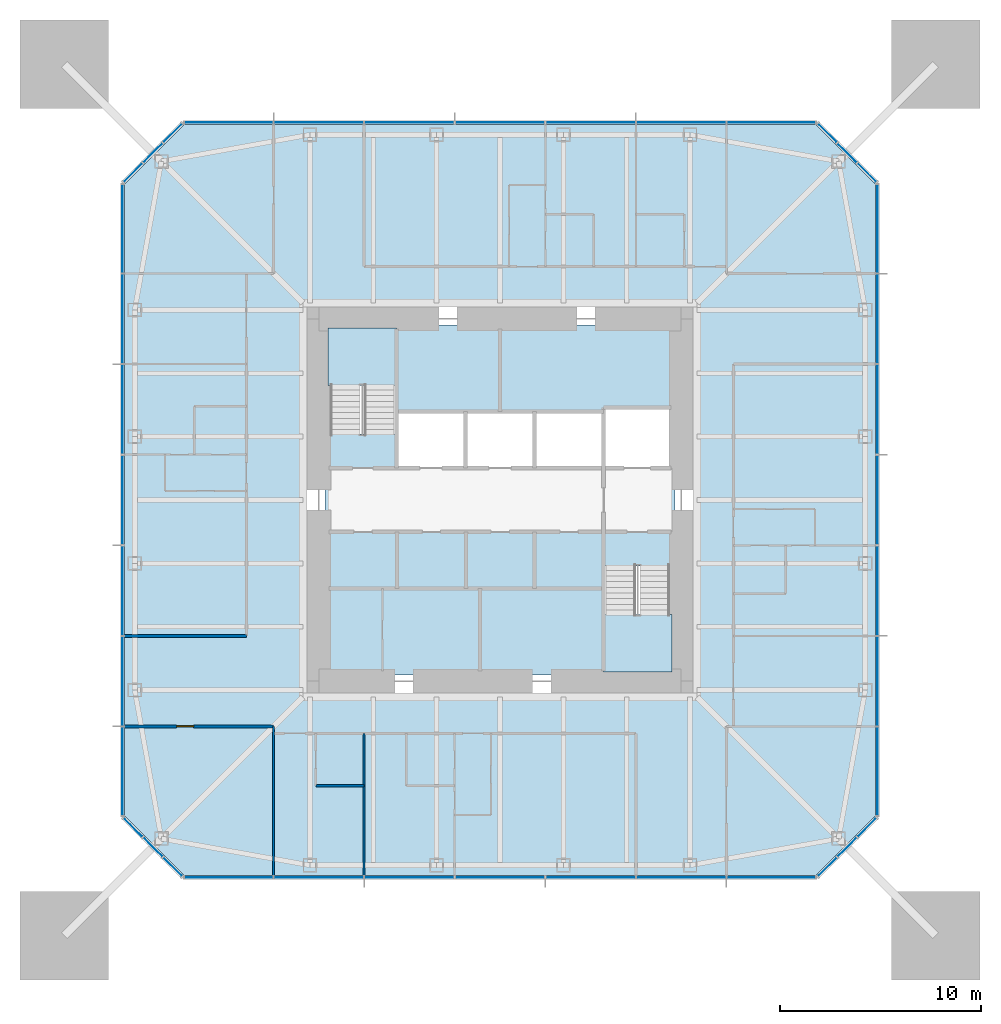
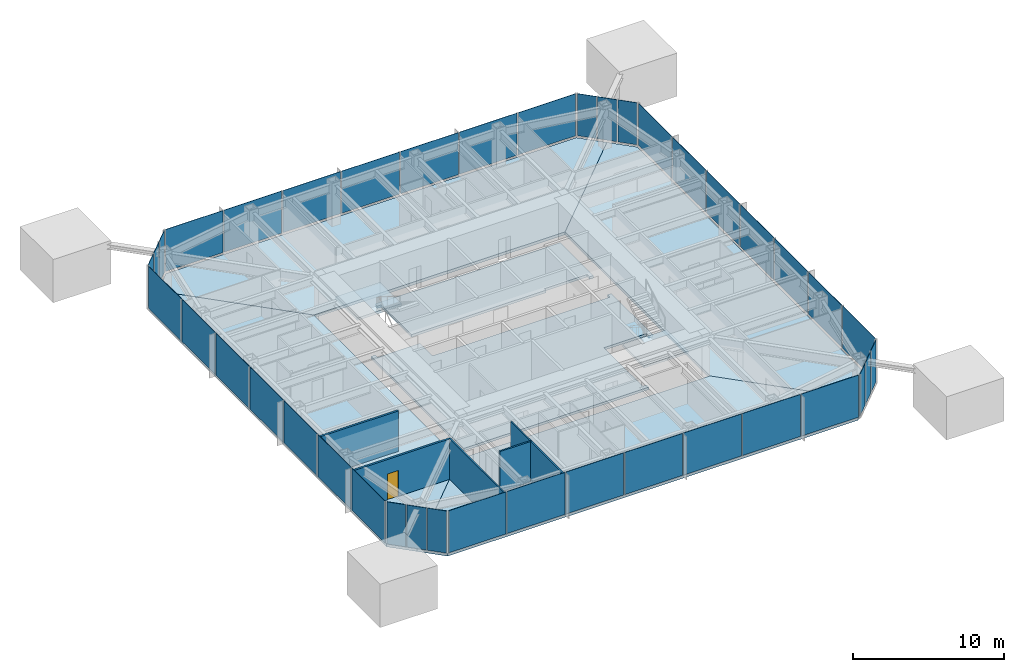
# One storey, part 5 of 11: 40 plates, 8 slabs, 5 walls, 1 door, 1 opening, 10 elements without a shape of their own.
"""IFC4 building model written with IfcOpenShell, lengths in metres."""

from ifc_helpers import new_model, si_unit, direction, frame, frame_2d, origin, origin_2d, place, context, subcontext, project, spatial, polyline, rectangle, outline, extrude, material, layer, layer_set, constituent, constituent_set, type_object, element, fill, aggregate, save


model = new_model("IFC4")

# Units and contexts
model_context = context("Model", 3, precision=1e-05, world=origin(), true_north=direction((0.0, 1.0)))
body_context = subcontext(model_context, "Body", "Model", "MODEL_VIEW")
ifc_project = project(units=[si_unit("LENGTHUNIT", "METRE"), si_unit("AREAUNIT", "SQUARE_METRE"), si_unit("VOLUMEUNIT", "CUBIC_METRE"), si_unit("PLANEANGLEUNIT", "RADIAN"), si_unit("MASSUNIT", "GRAM", prefix="KILO")], contexts=[model_context])

# Site, building, storey
site_placement = place(None, origin())
site = spatial("IfcSite", under=ifc_project, at=site_placement, CompositionType="ELEMENT")
building_placement = place(site_placement, origin())
building = spatial("IfcBuilding", under=site, at=building_placement, Name="Iwan Alto Co-Living Towers", CompositionType="ELEMENT")
storey_placement = place(building_placement, frame((0.0, 0.0, 188.0)))
storey = spatial("IfcBuildingStorey", under=building, at=storey_placement, Name="L51", CompositionType="ELEMENT", Elevation=188.0)

# Slabs
ifc_material_1 = material(Name="Concrete f'c 30 MPa", Category="concrete")
ifc_layer_1 = layer(ifc_material_1, 0.199951171875)
ifc_layer_set_1 = layer_set([ifc_layer_1], Name="CORE FLOOR SLAB 200")
slab_type_1 = type_object("IfcSlabType", Name="CORE FLOOR SLAB 200", PredefinedType="FLOOR", material=ifc_layer_set_1)
slab_1_placement = place(storey_placement, frame((0.0, 0.0, -0.199951171875)))
element("IfcSlab", 1, at=slab_1_placement, inside=storey, type_object=slab_type_1, Name="T1 core floor L51", PredefinedType="FLOOR", context=body_context, shape_type="SweptSolid", body=[
    extrude(outline(polyline([(5.14990234375, -8.39990234375), (5.4599609375, -8.39990234375), (5.4599609375, -8.699951171875), (-8.699951171875, -8.699951171875), (-8.699951171875, 3.580078125), (-8.39990234375, 3.580078125), (-8.39990234375, 3.27001953125), (-5.14990234375, 3.27001953125), (-5.14990234375, 1.60009765625), (-1.717041015625, 1.60009765625), (1.717041015625, 1.60009765625), (5.14990234375, 1.60009765625), (8.39990234375, 1.60009765625), (8.39990234375, 1.909912109375), (8.699951171875, 1.909912109375), (8.699951171875, -3.580078125), (8.39990234375, -3.580078125), (8.39990234375, -3.27001953125), (5.14990234375, -3.27001953125), (5.14990234375, -8.39990234375)])), origin(), (0.0, 0.0, 1.0), 0.199951171875),
])
slab_2_placement = place(storey_placement, frame((0.0, 0.0, -0.199951171875)))
element("IfcSlab", 2, at=slab_2_placement, inside=storey, type_object=slab_type_1, Name="T1 core floor L51", PredefinedType="FLOOR", context=body_context, shape_type="SweptSolid", body=[
    extrude(outline(polyline([(1.717041015625, 4.39990234375), (-1.717041015625, 4.39990234375), (-5.14990234375, 4.39990234375), (-5.14990234375, 8.39990234375), (-5.4599609375, 8.39990234375), (-5.4599609375, 8.699951171875), (8.699951171875, 8.699951171875), (8.699951171875, 4.2900390625), (8.39990234375, 4.2900390625), (8.39990234375, 4.60009765625), (5.14990234375, 4.60009765625), (5.14990234375, 4.39990234375), (1.717041015625, 4.39990234375)])), origin(), (0.0, 0.0, 1.0), 0.199951171875),
])

# Curtain wall, plates
ifc_material_2 = material(Name="Bronze aluminium unitised frame", Category="aluminium")
curtain_wall_type_1 = type_object("IfcCurtainWallType", Name="CURTAIN WALL CW-A", PredefinedType="NOTDEFINED", material=ifc_material_2)
curtain_wall_1_placement = place(storey_placement, origin())
curtain_wall_1 = element("IfcCurtainWall", 3, at=curtain_wall_1_placement, inside=storey, type_object=curtain_wall_type_1, Name="T1 curtain wall S L51", PredefinedType="NOTDEFINED")
ifc_material_3 = material(Name="Bronze-tinted insulating glass", Category="glass")
ifc_layer_2 = layer(ifc_material_3, 0.031982421875)
ifc_layer_set_2 = layer_set([ifc_layer_2], Name="CW-A PANEL TINTED IGU 32")
plate_type_1 = type_object("IfcPlateType", Name="CW-A PANEL TINTED IGU 32", PredefinedType="CURTAIN_PANEL", material=ifc_layer_set_2)
plate_1_placement = place(storey_placement, frame((-13.47998046875, -18.75, 0.10009765625), z_axis=(0.0, 0.0, 1.0), x_axis=(1.0, 0.0, 0.0)))
plate_1 = element("IfcPlate", 4, at=plate_1_placement, type_object=plate_type_1, Name="CW-A panel 1.1", PredefinedType="CURTAIN_PANEL", context=body_context, shape_type="SweptSolid", body=[
    extrude(rectangle(XDim=4.3798828125, YDim=0.031982421875, at=origin_2d()), origin(), (0.0, 0.0, 1.0), 3.39990234375),
])
plate_2_placement = place(storey_placement, frame((-9.0, -18.75, 0.10009765625), z_axis=(0.0, 0.0, 1.0), x_axis=(1.0, 0.0, 0.0)))
plate_2 = element("IfcPlate", 5, at=plate_2_placement, type_object=plate_type_1, Name="CW-A panel 2.1", PredefinedType="CURTAIN_PANEL", context=body_context, shape_type="SweptSolid", body=[
    extrude(rectangle(XDim=4.419921875, YDim=0.031982421875, at=origin_2d()), origin(), (0.0, 0.0, 1.0), 3.39990234375),
])
plate_3_placement = place(storey_placement, frame((-4.5, -18.75, 0.10009765625), z_axis=(0.0, 0.0, 1.0), x_axis=(1.0, 0.0, 0.0)))
plate_3 = element("IfcPlate", 6, at=plate_3_placement, type_object=plate_type_1, Name="CW-A panel 3.1", PredefinedType="CURTAIN_PANEL", context=body_context, shape_type="SweptSolid", body=[
    extrude(rectangle(XDim=4.419921875, YDim=0.031982421875, at=origin_2d()), origin(), (0.0, 0.0, 1.0), 3.39990234375),
])
plate_4_placement = place(storey_placement, frame((0.0, -18.75, 0.10009765625), z_axis=(0.0, 0.0, 1.0), x_axis=(1.0, 0.0, 0.0)))
plate_4 = element("IfcPlate", 7, at=plate_4_placement, type_object=plate_type_1, Name="CW-A panel 4.1", PredefinedType="CURTAIN_PANEL", context=body_context, shape_type="SweptSolid", body=[
    extrude(rectangle(XDim=4.419921875, YDim=0.031982421875, at=origin_2d()), origin(), (0.0, 0.0, 1.0), 3.39990234375),
])
plate_5_placement = place(storey_placement, frame((4.5, -18.75, 0.10009765625), z_axis=(0.0, 0.0, 1.0), x_axis=(1.0, 0.0, 0.0)))
plate_5 = element("IfcPlate", 8, at=plate_5_placement, type_object=plate_type_1, Name="CW-A panel 5.1", PredefinedType="CURTAIN_PANEL", context=body_context, shape_type="SweptSolid", body=[
    extrude(rectangle(XDim=4.419921875, YDim=0.031982421875, at=origin_2d()), origin(), (0.0, 0.0, 1.0), 3.39990234375),
])
plate_6_placement = place(storey_placement, frame((9.0, -18.75, 0.10009765625), z_axis=(0.0, 0.0, 1.0), x_axis=(1.0, 0.0, 0.0)))
plate_6 = element("IfcPlate", 9, at=plate_6_placement, type_object=plate_type_1, Name="CW-A panel 6.1", PredefinedType="CURTAIN_PANEL", context=body_context, shape_type="SweptSolid", body=[
    extrude(rectangle(XDim=4.419921875, YDim=0.031982421875, at=origin_2d()), origin(), (0.0, 0.0, 1.0), 3.39990234375),
])
plate_7_placement = place(storey_placement, frame((13.47998046875, -18.75, 0.10009765625), z_axis=(0.0, 0.0, 1.0), x_axis=(1.0, 0.0, 0.0)))
plate_7 = element("IfcPlate", 10, at=plate_7_placement, type_object=plate_type_1, Name="CW-A panel 7.1", PredefinedType="CURTAIN_PANEL", context=body_context, shape_type="SweptSolid", body=[
    extrude(rectangle(XDim=4.3798828125, YDim=0.031982421875, at=origin_2d()), origin(), (0.0, 0.0, 1.0), 3.39990234375),
])
aggregate(curtain_wall_1, [plate_1, plate_2, plate_3, plate_4, plate_5, plate_6, plate_7])

curtain_wall_2_placement = place(storey_placement, origin())
curtain_wall_2 = element("IfcCurtainWall", 11, at=curtain_wall_2_placement, inside=storey, type_object=curtain_wall_type_1, Name="T1 curtain wall E L51", PredefinedType="NOTDEFINED")
plate_8_placement = place(storey_placement, frame((18.75, -13.47998046875, 0.10009765625), z_axis=(0.0, 0.0, 1.0), x_axis=(0.0, 1.0, 0.0)))
plate_8 = element("IfcPlate", 12, at=plate_8_placement, type_object=plate_type_1, Name="CW-A panel 1.1", PredefinedType="CURTAIN_PANEL", context=body_context, shape_type="SweptSolid", body=[
    extrude(rectangle(XDim=4.3798828125, YDim=0.031982421875, at=origin_2d()), origin(), (0.0, 0.0, 1.0), 3.39990234375),
])
plate_9_placement = place(storey_placement, frame((18.75, -9.0, 0.10009765625), z_axis=(0.0, 0.0, 1.0), x_axis=(0.0, 1.0, 0.0)))
plate_9 = element("IfcPlate", 13, at=plate_9_placement, type_object=plate_type_1, Name="CW-A panel 2.1", PredefinedType="CURTAIN_PANEL", context=body_context, shape_type="SweptSolid", body=[
    extrude(rectangle(XDim=4.419921875, YDim=0.031982421875, at=origin_2d()), origin(), (0.0, 0.0, 1.0), 3.39990234375),
])
plate_10_placement = place(storey_placement, frame((18.75, -4.5, 0.10009765625), z_axis=(0.0, 0.0, 1.0), x_axis=(0.0, 1.0, 0.0)))
plate_10 = element("IfcPlate", 14, at=plate_10_placement, type_object=plate_type_1, Name="CW-A panel 3.1", PredefinedType="CURTAIN_PANEL", context=body_context, shape_type="SweptSolid", body=[
    extrude(rectangle(XDim=4.419921875, YDim=0.031982421875, at=origin_2d()), origin(), (0.0, 0.0, 1.0), 3.39990234375),
])
plate_11_placement = place(storey_placement, frame((18.75, 0.0, 0.10009765625), z_axis=(0.0, 0.0, 1.0), x_axis=(0.0, 1.0, 0.0)))
plate_11 = element("IfcPlate", 15, at=plate_11_placement, type_object=plate_type_1, Name="CW-A panel 4.1", PredefinedType="CURTAIN_PANEL", context=body_context, shape_type="SweptSolid", body=[
    extrude(rectangle(XDim=4.419921875, YDim=0.031982421875, at=origin_2d()), origin(), (0.0, 0.0, 1.0), 3.39990234375),
])
plate_12_placement = place(storey_placement, frame((18.75, 4.5, 0.10009765625), z_axis=(0.0, 0.0, 1.0), x_axis=(0.0, 1.0, 0.0)))
plate_12 = element("IfcPlate", 16, at=plate_12_placement, type_object=plate_type_1, Name="CW-A panel 5.1", PredefinedType="CURTAIN_PANEL", context=body_context, shape_type="SweptSolid", body=[
    extrude(rectangle(XDim=4.419921875, YDim=0.031982421875, at=origin_2d()), origin(), (0.0, 0.0, 1.0), 3.39990234375),
])
plate_13_placement = place(storey_placement, frame((18.75, 9.0, 0.10009765625), z_axis=(0.0, 0.0, 1.0), x_axis=(0.0, 1.0, 0.0)))
plate_13 = element("IfcPlate", 17, at=plate_13_placement, type_object=plate_type_1, Name="CW-A panel 6.1", PredefinedType="CURTAIN_PANEL", context=body_context, shape_type="SweptSolid", body=[
    extrude(rectangle(XDim=4.419921875, YDim=0.031982421875, at=origin_2d()), origin(), (0.0, 0.0, 1.0), 3.39990234375),
])
plate_14_placement = place(storey_placement, frame((18.75, 13.47998046875, 0.10009765625), z_axis=(0.0, 0.0, 1.0), x_axis=(0.0, 1.0, 0.0)))
plate_14 = element("IfcPlate", 18, at=plate_14_placement, type_object=plate_type_1, Name="CW-A panel 7.1", PredefinedType="CURTAIN_PANEL", context=body_context, shape_type="SweptSolid", body=[
    extrude(rectangle(XDim=4.3798828125, YDim=0.031982421875, at=origin_2d()), origin(), (0.0, 0.0, 1.0), 3.39990234375),
])
aggregate(curtain_wall_2, [plate_8, plate_9, plate_10, plate_11, plate_12, plate_13, plate_14])

curtain_wall_3_placement = place(storey_placement, origin())
curtain_wall_3 = element("IfcCurtainWall", 19, at=curtain_wall_3_placement, inside=storey, type_object=curtain_wall_type_1, Name="T1 curtain wall N L51", PredefinedType="NOTDEFINED")
plate_15_placement = place(storey_placement, frame((13.47998046875, 18.75, 0.10009765625), z_axis=(0.0, 0.0, 1.0), x_axis=(-1.0, 0.0, 0.0)))
plate_15 = element("IfcPlate", 20, at=plate_15_placement, type_object=plate_type_1, Name="CW-A panel 1.1", PredefinedType="CURTAIN_PANEL", context=body_context, shape_type="SweptSolid", body=[
    extrude(rectangle(XDim=4.3798828125, YDim=0.031982421875, at=origin_2d()), origin(), (0.0, 0.0, 1.0), 3.39990234375),
])
plate_16_placement = place(storey_placement, frame((9.0, 18.75, 0.10009765625), z_axis=(0.0, 0.0, 1.0), x_axis=(-1.0, 0.0, 0.0)))
plate_16 = element("IfcPlate", 21, at=plate_16_placement, type_object=plate_type_1, Name="CW-A panel 2.1", PredefinedType="CURTAIN_PANEL", context=body_context, shape_type="SweptSolid", body=[
    extrude(rectangle(XDim=4.419921875, YDim=0.031982421875, at=origin_2d()), origin(), (0.0, 0.0, 1.0), 3.39990234375),
])
plate_17_placement = place(storey_placement, frame((4.5, 18.75, 0.10009765625), z_axis=(0.0, 0.0, 1.0), x_axis=(-1.0, 0.0, 0.0)))
plate_17 = element("IfcPlate", 22, at=plate_17_placement, type_object=plate_type_1, Name="CW-A panel 3.1", PredefinedType="CURTAIN_PANEL", context=body_context, shape_type="SweptSolid", body=[
    extrude(rectangle(XDim=4.419921875, YDim=0.031982421875, at=origin_2d()), origin(), (0.0, 0.0, 1.0), 3.39990234375),
])
plate_18_placement = place(storey_placement, frame((0.0, 18.75, 0.10009765625), z_axis=(0.0, 0.0, 1.0), x_axis=(-1.0, 0.0, 0.0)))
plate_18 = element("IfcPlate", 23, at=plate_18_placement, type_object=plate_type_1, Name="CW-A panel 4.1", PredefinedType="CURTAIN_PANEL", context=body_context, shape_type="SweptSolid", body=[
    extrude(rectangle(XDim=4.419921875, YDim=0.031982421875, at=origin_2d()), origin(), (0.0, 0.0, 1.0), 3.39990234375),
])
plate_19_placement = place(storey_placement, frame((-4.5, 18.75, 0.10009765625), z_axis=(0.0, 0.0, 1.0), x_axis=(-1.0, 0.0, 0.0)))
plate_19 = element("IfcPlate", 24, at=plate_19_placement, type_object=plate_type_1, Name="CW-A panel 5.1", PredefinedType="CURTAIN_PANEL", context=body_context, shape_type="SweptSolid", body=[
    extrude(rectangle(XDim=4.419921875, YDim=0.031982421875, at=origin_2d()), origin(), (0.0, 0.0, 1.0), 3.39990234375),
])
plate_20_placement = place(storey_placement, frame((-9.0, 18.75, 0.10009765625), z_axis=(0.0, 0.0, 1.0), x_axis=(-1.0, 0.0, 0.0)))
plate_20 = element("IfcPlate", 25, at=plate_20_placement, type_object=plate_type_1, Name="CW-A panel 6.1", PredefinedType="CURTAIN_PANEL", context=body_context, shape_type="SweptSolid", body=[
    extrude(rectangle(XDim=4.419921875, YDim=0.031982421875, at=origin_2d()), origin(), (0.0, 0.0, 1.0), 3.39990234375),
])
plate_21_placement = place(storey_placement, frame((-13.47998046875, 18.75, 0.10009765625), z_axis=(0.0, 0.0, 1.0), x_axis=(-1.0, 0.0, 0.0)))
plate_21 = element("IfcPlate", 26, at=plate_21_placement, type_object=plate_type_1, Name="CW-A panel 7.1", PredefinedType="CURTAIN_PANEL", context=body_context, shape_type="SweptSolid", body=[
    extrude(rectangle(XDim=4.3798828125, YDim=0.031982421875, at=origin_2d()), origin(), (0.0, 0.0, 1.0), 3.39990234375),
])
aggregate(curtain_wall_3, [plate_15, plate_16, plate_17, plate_18, plate_19, plate_20, plate_21])

curtain_wall_4_placement = place(storey_placement, origin())
curtain_wall_4 = element("IfcCurtainWall", 27, at=curtain_wall_4_placement, inside=storey, type_object=curtain_wall_type_1, Name="T1 curtain wall W L51", PredefinedType="NOTDEFINED")
plate_22_placement = place(storey_placement, frame((-18.75, 13.47998046875, 0.10009765625), z_axis=(0.0, 0.0, 1.0), x_axis=(0.0, -1.0, 0.0)))
plate_22 = element("IfcPlate", 28, at=plate_22_placement, type_object=plate_type_1, Name="CW-A panel 1.1", PredefinedType="CURTAIN_PANEL", context=body_context, shape_type="SweptSolid", body=[
    extrude(rectangle(XDim=4.3798828125, YDim=0.031982421875, at=origin_2d()), origin(), (0.0, 0.0, 1.0), 3.39990234375),
])
plate_23_placement = place(storey_placement, frame((-18.75, 9.0, 0.10009765625), z_axis=(0.0, 0.0, 1.0), x_axis=(0.0, -1.0, 0.0)))
plate_23 = element("IfcPlate", 29, at=plate_23_placement, type_object=plate_type_1, Name="CW-A panel 2.1", PredefinedType="CURTAIN_PANEL", context=body_context, shape_type="SweptSolid", body=[
    extrude(rectangle(XDim=4.419921875, YDim=0.031982421875, at=origin_2d()), origin(), (0.0, 0.0, 1.0), 3.39990234375),
])
plate_24_placement = place(storey_placement, frame((-18.75, 4.5, 0.10009765625), z_axis=(0.0, 0.0, 1.0), x_axis=(0.0, -1.0, 0.0)))
plate_24 = element("IfcPlate", 30, at=plate_24_placement, type_object=plate_type_1, Name="CW-A panel 3.1", PredefinedType="CURTAIN_PANEL", context=body_context, shape_type="SweptSolid", body=[
    extrude(rectangle(XDim=4.419921875, YDim=0.031982421875, at=origin_2d()), origin(), (0.0, 0.0, 1.0), 3.39990234375),
])
plate_25_placement = place(storey_placement, frame((-18.75, 0.0, 0.10009765625), z_axis=(0.0, 0.0, 1.0), x_axis=(0.0, -1.0, 0.0)))
plate_25 = element("IfcPlate", 31, at=plate_25_placement, type_object=plate_type_1, Name="CW-A panel 4.1", PredefinedType="CURTAIN_PANEL", context=body_context, shape_type="SweptSolid", body=[
    extrude(rectangle(XDim=4.419921875, YDim=0.031982421875, at=origin_2d()), origin(), (0.0, 0.0, 1.0), 3.39990234375),
])
plate_26_placement = place(storey_placement, frame((-18.75, -4.5, 0.10009765625), z_axis=(0.0, 0.0, 1.0), x_axis=(0.0, -1.0, 0.0)))
plate_26 = element("IfcPlate", 32, at=plate_26_placement, type_object=plate_type_1, Name="CW-A panel 5.1", PredefinedType="CURTAIN_PANEL", context=body_context, shape_type="SweptSolid", body=[
    extrude(rectangle(XDim=4.419921875, YDim=0.031982421875, at=origin_2d()), origin(), (0.0, 0.0, 1.0), 3.39990234375),
])
plate_27_placement = place(storey_placement, frame((-18.75, -9.0, 0.10009765625), z_axis=(0.0, 0.0, 1.0), x_axis=(0.0, -1.0, 0.0)))
plate_27 = element("IfcPlate", 33, at=plate_27_placement, type_object=plate_type_1, Name="CW-A panel 6.1", PredefinedType="CURTAIN_PANEL", context=body_context, shape_type="SweptSolid", body=[
    extrude(rectangle(XDim=4.419921875, YDim=0.031982421875, at=origin_2d()), origin(), (0.0, 0.0, 1.0), 3.39990234375),
])
plate_28_placement = place(storey_placement, frame((-18.75, -13.47998046875, 0.10009765625), z_axis=(0.0, 0.0, 1.0), x_axis=(0.0, -1.0, 0.0)))
plate_28 = element("IfcPlate", 34, at=plate_28_placement, type_object=plate_type_1, Name="CW-A panel 7.1", PredefinedType="CURTAIN_PANEL", context=body_context, shape_type="SweptSolid", body=[
    extrude(rectangle(XDim=4.3798828125, YDim=0.031982421875, at=origin_2d()), origin(), (0.0, 0.0, 1.0), 3.39990234375),
])
aggregate(curtain_wall_4, [plate_22, plate_23, plate_24, plate_25, plate_26, plate_27, plate_28])

ifc_material_4 = material(Name="Bronze aluminium unitised frame", Category="aluminium")
curtain_wall_type_2 = type_object("IfcCurtainWallType", Name="CURTAIN WALL CW-B", PredefinedType="NOTDEFINED", material=ifc_material_4)
curtain_wall_5_placement = place(storey_placement, origin())
curtain_wall_5 = element("IfcCurtainWall", 35, at=curtain_wall_5_placement, inside=storey, type_object=curtain_wall_type_2, Name="T1 chamfer curtain wall SE L51", PredefinedType="NOTDEFINED")
ifc_material_5 = material(Name="Bronze-tinted insulating glass", Category="glass")
ifc_layer_3 = layer(ifc_material_5, 0.031982421875)
ifc_layer_set_3 = layer_set([ifc_layer_3], Name="CW-B PANEL TINTED IGU 32")
plate_type_2 = type_object("IfcPlateType", Name="CW-B PANEL TINTED IGU 32", PredefinedType="CURTAIN_PANEL", material=ifc_layer_set_3)
plate_29_placement = place(storey_placement, frame((16.26416015625, -18.23583984375, 0.10009765625), z_axis=(0.0, 0.0, 1.0), x_axis=(0.707106781187, 0.707106781187, 0.0)))
plate_29 = element("IfcPlate", 36, at=plate_29_placement, type_object=plate_type_2, Name="CW-B panel 1.1", PredefinedType="CURTAIN_PANEL", context=body_context, shape_type="SweptSolid", body=[
    extrude(rectangle(XDim=1.294189453125, YDim=0.031982421875, at=origin_2d()), origin(), (0.0, 0.0, 1.0), 3.39990234375),
])
plate_30_placement = place(storey_placement, frame((17.25, -17.25, 0.10009765625), z_axis=(0.0, 0.0, 1.0), x_axis=(0.707106781187, 0.707106781187, 0.0)))
plate_30 = element("IfcPlate", 37, at=plate_30_placement, type_object=plate_type_2, Name="CW-B panel 2.1", PredefinedType="CURTAIN_PANEL", context=body_context, shape_type="SweptSolid", body=[
    extrude(rectangle(XDim=1.334228515625, YDim=0.031982421875, at=origin_2d()), origin(), (0.0, 0.0, 1.0), 3.39990234375),
])
plate_31_placement = place(storey_placement, frame((18.23583984375, -16.26416015625, 0.10009765625), z_axis=(0.0, 0.0, 1.0), x_axis=(0.707106781187, 0.707106781187, 0.0)))
plate_31 = element("IfcPlate", 38, at=plate_31_placement, type_object=plate_type_2, Name="CW-B panel 3.1", PredefinedType="CURTAIN_PANEL", context=body_context, shape_type="SweptSolid", body=[
    extrude(rectangle(XDim=1.294189453125, YDim=0.031982421875, at=origin_2d()), origin(), (0.0, 0.0, 1.0), 3.39990234375),
])
aggregate(curtain_wall_5, [plate_29, plate_30, plate_31])

curtain_wall_6_placement = place(storey_placement, origin())
curtain_wall_6 = element("IfcCurtainWall", 39, at=curtain_wall_6_placement, inside=storey, type_object=curtain_wall_type_2, Name="T1 chamfer curtain wall NE L51", PredefinedType="NOTDEFINED")
plate_32_placement = place(storey_placement, frame((18.23583984375, 16.26416015625, 0.10009765625), z_axis=(0.0, 0.0, 1.0), x_axis=(-0.707106781187, 0.707106781187, 0.0)))
plate_32 = element("IfcPlate", 40, at=plate_32_placement, type_object=plate_type_2, Name="CW-B panel 1.1", PredefinedType="CURTAIN_PANEL", context=body_context, shape_type="SweptSolid", body=[
    extrude(rectangle(XDim=1.294189453125, YDim=0.031982421875, at=origin_2d()), origin(), (0.0, 0.0, 1.0), 3.39990234375),
])
plate_33_placement = place(storey_placement, frame((17.25, 17.25, 0.10009765625), z_axis=(0.0, 0.0, 1.0), x_axis=(-0.707106781187, 0.707106781187, 0.0)))
plate_33 = element("IfcPlate", 41, at=plate_33_placement, type_object=plate_type_2, Name="CW-B panel 2.1", PredefinedType="CURTAIN_PANEL", context=body_context, shape_type="SweptSolid", body=[
    extrude(rectangle(XDim=1.334228515625, YDim=0.031982421875, at=origin_2d()), origin(), (0.0, 0.0, 1.0), 3.39990234375),
])
plate_34_placement = place(storey_placement, frame((16.26416015625, 18.23583984375, 0.10009765625), z_axis=(0.0, 0.0, 1.0), x_axis=(-0.707106781187, 0.707106781187, 0.0)))
plate_34 = element("IfcPlate", 42, at=plate_34_placement, type_object=plate_type_2, Name="CW-B panel 3.1", PredefinedType="CURTAIN_PANEL", context=body_context, shape_type="SweptSolid", body=[
    extrude(rectangle(XDim=1.294189453125, YDim=0.031982421875, at=origin_2d()), origin(), (0.0, 0.0, 1.0), 3.39990234375),
])
aggregate(curtain_wall_6, [plate_32, plate_33, plate_34])

curtain_wall_7_placement = place(storey_placement, origin())
curtain_wall_7 = element("IfcCurtainWall", 43, at=curtain_wall_7_placement, inside=storey, type_object=curtain_wall_type_2, Name="T1 chamfer curtain wall NW L51", PredefinedType="NOTDEFINED")
plate_35_placement = place(storey_placement, frame((-16.26416015625, 18.23583984375, 0.10009765625), z_axis=(0.0, 0.0, 1.0), x_axis=(-0.707106781187, -0.707106781187, 0.0)))
plate_35 = element("IfcPlate", 44, at=plate_35_placement, type_object=plate_type_2, Name="CW-B panel 1.1", PredefinedType="CURTAIN_PANEL", context=body_context, shape_type="SweptSolid", body=[
    extrude(rectangle(XDim=1.294189453125, YDim=0.031982421875, at=origin_2d()), origin(), (0.0, 0.0, 1.0), 3.39990234375),
])
plate_36_placement = place(storey_placement, frame((-17.25, 17.25, 0.10009765625), z_axis=(0.0, 0.0, 1.0), x_axis=(-0.707106781187, -0.707106781187, 0.0)))
plate_36 = element("IfcPlate", 45, at=plate_36_placement, type_object=plate_type_2, Name="CW-B panel 2.1", PredefinedType="CURTAIN_PANEL", context=body_context, shape_type="SweptSolid", body=[
    extrude(rectangle(XDim=1.334228515625, YDim=0.031982421875, at=origin_2d()), origin(), (0.0, 0.0, 1.0), 3.39990234375),
])
plate_37_placement = place(storey_placement, frame((-18.23583984375, 16.26416015625, 0.10009765625), z_axis=(0.0, 0.0, 1.0), x_axis=(-0.707106781187, -0.707106781187, 0.0)))
plate_37 = element("IfcPlate", 46, at=plate_37_placement, type_object=plate_type_2, Name="CW-B panel 3.1", PredefinedType="CURTAIN_PANEL", context=body_context, shape_type="SweptSolid", body=[
    extrude(rectangle(XDim=1.294189453125, YDim=0.031982421875, at=origin_2d()), origin(), (0.0, 0.0, 1.0), 3.39990234375),
])
aggregate(curtain_wall_7, [plate_35, plate_36, plate_37])

curtain_wall_8_placement = place(storey_placement, origin())
curtain_wall_8 = element("IfcCurtainWall", 47, at=curtain_wall_8_placement, inside=storey, type_object=curtain_wall_type_2, Name="T1 chamfer curtain wall SW L51", PredefinedType="NOTDEFINED")
plate_38_placement = place(storey_placement, frame((-18.23583984375, -16.26416015625, 0.10009765625), z_axis=(0.0, 0.0, 1.0), x_axis=(0.707106781187, -0.707106781187, 0.0)))
plate_38 = element("IfcPlate", 48, at=plate_38_placement, type_object=plate_type_2, Name="CW-B panel 1.1", PredefinedType="CURTAIN_PANEL", context=body_context, shape_type="SweptSolid", body=[
    extrude(rectangle(XDim=1.294189453125, YDim=0.031982421875, at=origin_2d()), origin(), (0.0, 0.0, 1.0), 3.39990234375),
])
plate_39_placement = place(storey_placement, frame((-17.25, -17.25, 0.10009765625), z_axis=(0.0, 0.0, 1.0), x_axis=(0.707106781187, -0.707106781187, 0.0)))
plate_39 = element("IfcPlate", 49, at=plate_39_placement, type_object=plate_type_2, Name="CW-B panel 2.1", PredefinedType="CURTAIN_PANEL", context=body_context, shape_type="SweptSolid", body=[
    extrude(rectangle(XDim=1.334228515625, YDim=0.031982421875, at=origin_2d()), origin(), (0.0, 0.0, 1.0), 3.39990234375),
])
plate_40_placement = place(storey_placement, frame((-16.26416015625, -18.23583984375, 0.10009765625), z_axis=(0.0, 0.0, 1.0), x_axis=(0.707106781187, -0.707106781187, 0.0)))
plate_40 = element("IfcPlate", 50, at=plate_40_placement, type_object=plate_type_2, Name="CW-B panel 3.1", PredefinedType="CURTAIN_PANEL", context=body_context, shape_type="SweptSolid", body=[
    extrude(rectangle(XDim=1.294189453125, YDim=0.031982421875, at=origin_2d()), origin(), (0.0, 0.0, 1.0), 3.39990234375),
])
aggregate(curtain_wall_8, [plate_38, plate_39, plate_40])

# Stair, slab
ifc_material_6 = material(Name="Steel ASTM A36", Category="steel")
ifc_constituent_1 = constituent(ifc_material_6, Name="Stringers", Category="LoadBearing")
ifc_material_7 = material(Name="Concrete f'c 30 MPa", Category="concrete")
ifc_constituent_2 = constituent(ifc_material_7, Name="Tread fill", Category="Finish")
ifc_constituent_set = constituent_set(constituents=[ifc_constituent_1, ifc_constituent_2], Name="STAIR 3500 TWO-FLIGHT T1 CORE")
stair_type = type_object("IfcStairType", Name="STAIR 3500 TWO-FLIGHT T1 CORE", PredefinedType="HALF_TURN_STAIR", material=ifc_constituent_set)
stair_1_placement = place(storey_placement, origin())
stair_1 = element("IfcStair", 51, at=stair_1_placement, inside=storey, type_object=stair_type, Name="Stair T1-S1 L51 to L52", PredefinedType="HALF_TURN_STAIR")
ifc_material_8 = material(Name="Concrete f'c 30 MPa", Category="concrete")
ifc_layer_4 = layer(ifc_material_8, 0.199951171875)
ifc_layer_set_4 = layer_set([ifc_layer_4], Name="STAIR LANDING 200")
slab_type_2 = type_object("IfcSlabType", Name="STAIR LANDING 200", PredefinedType="LANDING", material=ifc_layer_set_4)
slab_3_placement = place(storey_placement, frame((0.0, 0.0, 1.550048828125)))
slab_3 = element("IfcSlab", 52, at=slab_3_placement, type_object=slab_type_2, Name="T1-S1 landing 1", PredefinedType="LANDING", context=body_context, shape_type="SweptSolid", body=[
    extrude(outline(polyline([(-8.550048828125, 5.68994140625), (-8.550048828125, 8.550048828125), (-5.14990234375, 8.550048828125), (-5.14990234375, 5.68994140625), (-8.550048828125, 5.68994140625)])), origin(), (0.0, 0.0, 1.0), 0.199951171875),
])
aggregate(stair_1, [slab_3])

stair_2_placement = place(storey_placement, origin())
stair_2 = element("IfcStair", 53, at=stair_2_placement, inside=storey, type_object=stair_type, Name="Stair T1-S2 L51 to L52", PredefinedType="HALF_TURN_STAIR")
slab_4_placement = place(storey_placement, frame((0.0, 0.0, 1.550048828125)))
slab_4 = element("IfcSlab", 54, at=slab_4_placement, type_object=slab_type_2, Name="T1-S2 landing 1", PredefinedType="LANDING", context=body_context, shape_type="SweptSolid", body=[
    extrude(outline(polyline([(5.14990234375, -5.68994140625), (5.14990234375, -8.550048828125), (8.550048828125, -8.550048828125), (8.550048828125, -5.68994140625), (5.14990234375, -5.68994140625)])), origin(), (0.0, 0.0, 1.0), 0.199951171875),
])
aggregate(stair_2, [slab_4])

# Slabs
ifc_material_9 = material(Name="Concrete f'c 30 MPa", Category="concrete")
ifc_layer_5 = layer(ifc_material_9, 0.22998046875)
ifc_layer_set_5 = layer_set([ifc_layer_5], Name="T1 FLOOR SLAB 230")
slab_type_3 = type_object("IfcSlabType", Name="T1 FLOOR SLAB 230", PredefinedType="FLOOR", material=ifc_layer_set_5)
slab_5_placement = place(storey_placement, frame((0.0, 0.0, -0.22998046875)))
element("IfcSlab", 55, at=slab_5_placement, inside=storey, type_object=slab_type_3, Name="T1 floor slab L51 S pour", PredefinedType="FLOOR", context=body_context, shape_type="SweptSolid", body=[
    extrude(outline(polyline([(15.69140625, -18.64990234375), (-15.69140625, -18.64990234375), (-17.170654296875, -17.170654296875), (-9.60009765625, -9.60009765625), (9.60009765625, -9.60009765625), (17.170654296875, -17.170654296875), (15.69140625, -18.64990234375)])), origin(), (0.0, 0.0, 1.0), 0.22998046875),
])
slab_6_placement = place(storey_placement, frame((0.0, 0.0, -0.22998046875)))
element("IfcSlab", 56, at=slab_6_placement, inside=storey, type_object=slab_type_3, Name="T1 floor slab L51 E pour", PredefinedType="FLOOR", context=body_context, shape_type="SweptSolid", body=[
    extrude(outline(polyline([(18.64990234375, 15.69140625), (18.64990234375, -15.69140625), (17.170654296875, -17.170654296875), (9.60009765625, -9.60009765625), (9.60009765625, 9.60009765625), (17.170654296875, 17.170654296875), (18.64990234375, 15.69140625)])), origin(), (0.0, 0.0, 1.0), 0.22998046875),
])
slab_7_placement = place(storey_placement, frame((0.0, 0.0, -0.22998046875)))
element("IfcSlab", 57, at=slab_7_placement, inside=storey, type_object=slab_type_3, Name="T1 floor slab L51 N pour", PredefinedType="FLOOR", context=body_context, shape_type="SweptSolid", body=[
    extrude(outline(polyline([(-15.69140625, 18.64990234375), (15.69140625, 18.64990234375), (17.170654296875, 17.170654296875), (9.60009765625, 9.60009765625), (-9.60009765625, 9.60009765625), (-17.170654296875, 17.170654296875), (-15.69140625, 18.64990234375)])), origin(), (0.0, 0.0, 1.0), 0.22998046875),
])
slab_8_placement = place(storey_placement, frame((0.0, 0.0, -0.22998046875)))
element("IfcSlab", 58, at=slab_8_placement, inside=storey, type_object=slab_type_3, Name="T1 floor slab L51 W pour", PredefinedType="FLOOR", context=body_context, shape_type="SweptSolid", body=[
    extrude(outline(polyline([(-18.64990234375, 15.69140625), (-17.170654296875, 17.170654296875), (-9.60009765625, 9.60009765625), (-9.60009765625, -9.60009765625), (-17.170654296875, -17.170654296875), (-18.64990234375, -15.69140625), (-18.64990234375, 15.69140625)])), origin(), (0.0, 0.0, 1.0), 0.22998046875),
])

# Wall, opening, door
ifc_material_10 = material(Name="Gypsum board")
ifc_layer_6 = layer(ifc_material_10, 0.02490234375, Name="Board", Category="Finish")
ifc_material_11 = material(Name="Steel ASTM A1003 ST33H cold-formed studs", Category="steel")
ifc_layer_7 = layer(ifc_material_11, 0.10009765625, Name="Studs", Category="Framing")
ifc_layer_8 = layer(ifc_material_10, 0.02490234375, Name="Board", Category="Finish")
ifc_layer_set_6 = layer_set([ifc_layer_6, ifc_layer_7, ifc_layer_8], Name="CORRIDOR WALL 150")
wall_type_1 = type_object("IfcWallType", Name="CORRIDOR WALL 150", PredefinedType="PARTITIONING", material=ifc_layer_set_6)
wall_1_placement = place(storey_placement, frame((-18.68994140625, -11.25, 0.0), z_axis=(0.0, 0.0, 1.0), x_axis=(1.0, 0.0, 0.0)))
wall_1 = element("IfcWall", 59, at=wall_1_placement, inside=storey, type_object=wall_type_1, Name="Partition L51", PredefinedType="PARTITIONING", context=body_context, shape_type="SweptSolid", body=[
    extrude(rectangle(XDim=7.43994140625, YDim=0.14990234375, at=frame_2d((3.719970703125, 0.0))), origin(), (0.0, 0.0, 1.0), 3.27001953125),
])
opening_placement = place(wall_1_placement, frame((2.6201171875, 0.0, 0.0)))
opening = element("IfcOpeningElement", 60, at=opening_placement, cuts=wall_1, Name="Opening D2", PredefinedType="OPENING", context=body_context, shape_type="SweptSolid", body=[
    extrude(rectangle(XDim=0.85009765625, YDim=2.10009765625, at=frame_2d((0.425048828125, 1.050048828125))), frame((0.0, 0.0849609375, 0.0), z_axis=(0.0, -1.0, 0.0), x_axis=(1.0, 0.0, 0.0)), (0.0, 0.0, 1.0), 0.169921875),
])
ifc_material_12 = material(Name="Timber leaf in steel frame", Category="steel")
door_type = type_object("IfcDoorType", Name="ROOM DOOR 850X2100", OperationType="SINGLE_SWING_LEFT", PredefinedType="DOOR", material=ifc_material_12)
door_placement = place(opening_placement, frame((0.85009765625, 0.0, 0.0), z_axis=(0.0, 0.0, 1.0), x_axis=(-1.0, 0.0, 0.0)))
door = element("IfcDoor", 61, at=door_placement, inside=storey, type_object=door_type, Name="Shared kitchen and lounge door L51", OperationType="SINGLE_SWING_RIGHT", OverallHeight=2.10009765625, OverallWidth=0.85009765625, PredefinedType="DOOR", context=body_context, shape_type="SweptSolid", body=[
    extrude(rectangle(XDim=0.85009765625, YDim=2.10009765625, at=frame_2d((0.425048828125, 1.050048828125))), frame((0.0, 0.02490234375, 0.0), z_axis=(0.0, -1.0, 0.0), x_axis=(1.0, 0.0, 0.0)), (0.0, 0.0, 1.0), 0.050048828125),
])
fill(opening, door)

# Walls
wall_2_placement = place(storey_placement, frame((-18.68994140625, -6.75, 0.0), z_axis=(0.0, 0.0, 1.0), x_axis=(1.0, 0.0, 0.0)))
element("IfcWall", 62, at=wall_2_placement, inside=storey, type_object=wall_type_1, Name="Partition L51", PredefinedType="PARTITIONING", context=body_context, shape_type="SweptSolid", body=[
    extrude(rectangle(XDim=6.08984375, YDim=0.14990234375, at=frame_2d((3.044921875, 0.0))), origin(), (0.0, 0.0, 1.0), 3.27001953125),
])
ifc_layer_9 = layer(ifc_material_10, 0.012451171875, Name="Board", Category="Finish")
ifc_layer_10 = layer(ifc_material_11, 0.074951171875, Name="Studs", Category="Framing")
ifc_layer_11 = layer(ifc_material_10, 0.012451171875, Name="Board", Category="Finish")
ifc_layer_set_7 = layer_set([ifc_layer_9, ifc_layer_10, ifc_layer_11], Name="PARTITION 100")
wall_type_2 = type_object("IfcWallType", Name="PARTITION 100", PredefinedType="PARTITIONING", material=ifc_layer_set_7)
wall_3_placement = place(storey_placement, frame((-6.75, -18.68994140625, 0.0), z_axis=(0.0, 0.0, 1.0), x_axis=(0.0, 1.0, 0.0)))
element("IfcWall", 63, at=wall_3_placement, inside=storey, type_object=wall_type_2, Name="Partition L51", PredefinedType="PARTITIONING", context=body_context, shape_type="SweptSolid", body=[
    extrude(rectangle(XDim=7.08984375, YDim=0.10009765625, at=frame_2d((3.544921875, 0.0))), origin(), (0.0, 0.0, 1.0), 3.27001953125),
])
wall_4_placement = place(storey_placement, frame((-11.25, -18.68994140625, 0.0), z_axis=(0.0, 0.0, 1.0), x_axis=(0.0, 1.0, 0.0)))
element("IfcWall", 64, at=wall_4_placement, inside=storey, type_object=wall_type_2, Name="Partition L51", PredefinedType="PARTITIONING", context=body_context, shape_type="SweptSolid", body=[
    extrude(rectangle(XDim=7.43994140625, YDim=0.10009765625, at=frame_2d((3.719970703125, 0.0))), origin(), (0.0, 0.0, 1.0), 3.27001953125),
])
ifc_material_13 = material(Name="Cement board")
ifc_layer_12 = layer(ifc_material_13, 0.012451171875, Name="Board", Category="Finish")
ifc_layer_13 = layer(ifc_material_11, 0.094970703125, Name="Studs", Category="Framing")
ifc_layer_14 = layer(ifc_material_13, 0.012451171875, Name="Board", Category="Finish")
ifc_layer_set_8 = layer_set([ifc_layer_12, ifc_layer_13, ifc_layer_14], Name="WET AREA PARTITION 120")
wall_type_3 = type_object("IfcWallType", Name="WET AREA PARTITION 120", PredefinedType="PARTITIONING", material=ifc_layer_set_8)
wall_5_placement = place(storey_placement, frame((-9.14990234375, -14.199951171875, 0.0), z_axis=(0.0, 0.0, 1.0), x_axis=(1.0, 0.0, 0.0)))
element("IfcWall", 65, at=wall_5_placement, inside=storey, type_object=wall_type_3, Name="Partition L51", PredefinedType="PARTITIONING", context=body_context, shape_type="SweptSolid", body=[
    extrude(rectangle(XDim=2.39990234375, YDim=0.1201171875, at=frame_2d((1.199951171875, 0.0))), origin(), (0.0, 0.0, 1.0), 3.27001953125),
])

save(model, "model.ifc")
